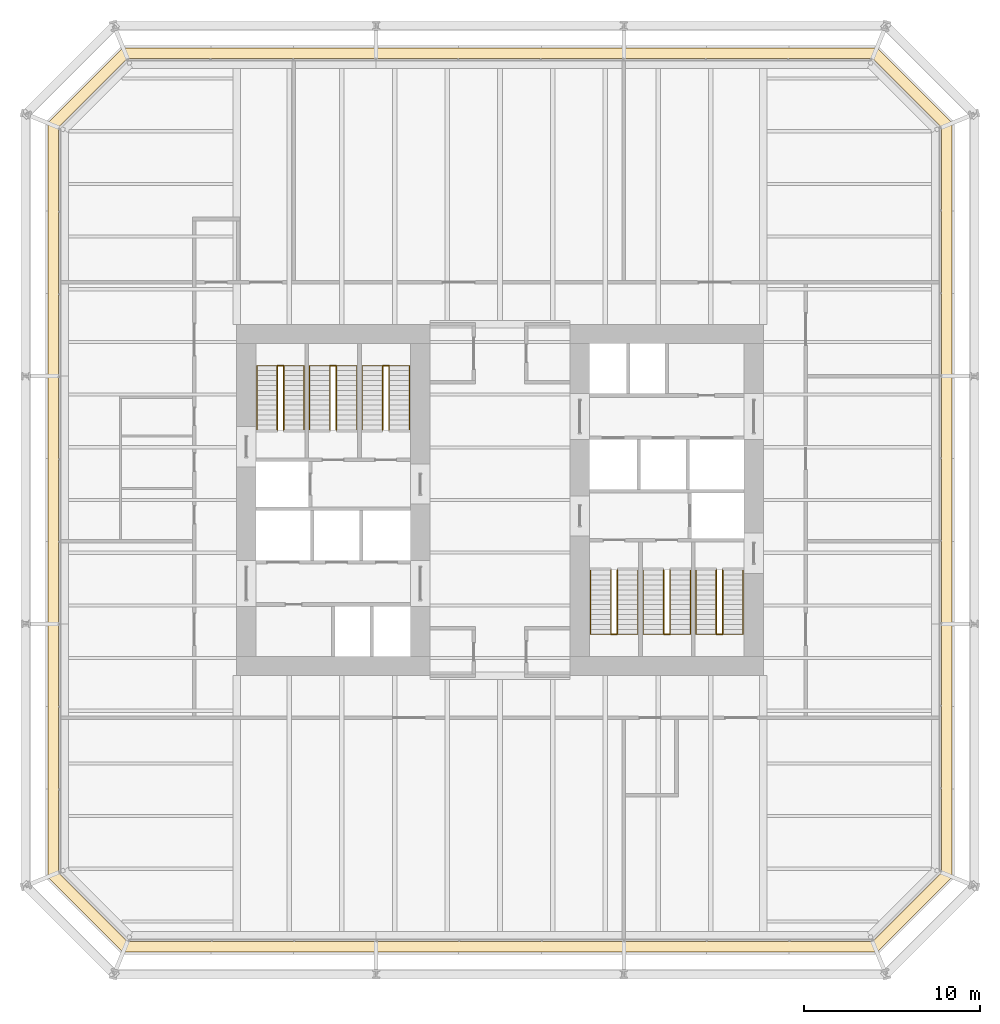
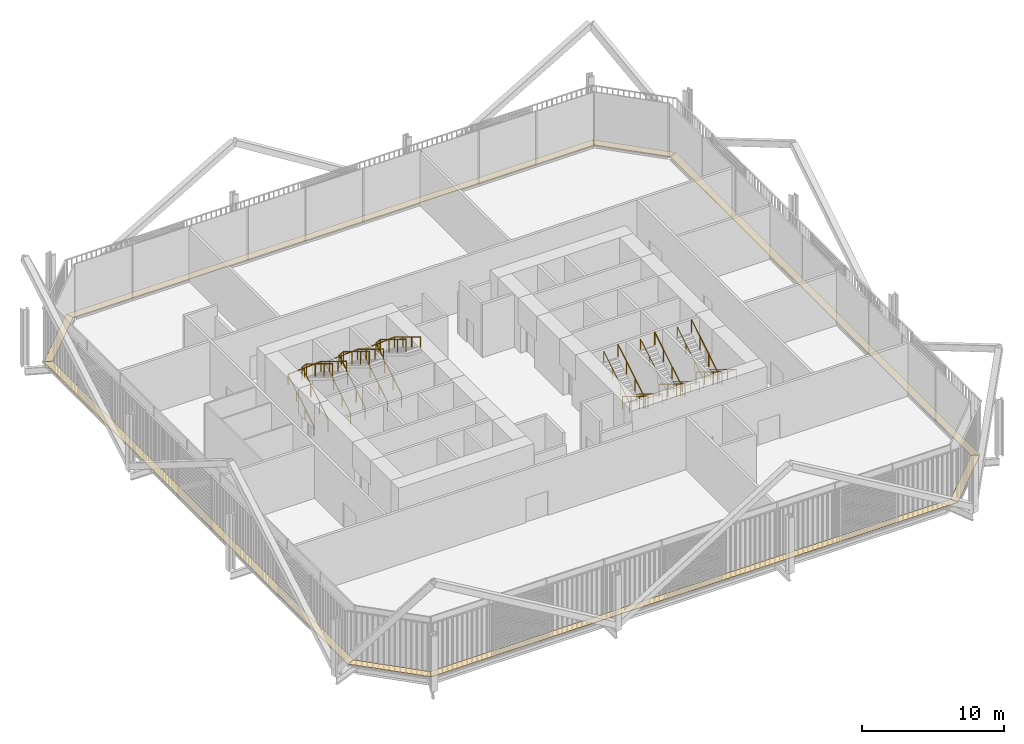
# One storey, part 22 of 22: 12 railings, 8 coverings.
"""IFC4 building model written with IfcOpenShell, lengths in metres."""

from ifc_helpers import new_model, si_unit, direction, frame, origin, origin_2d, place, context, subcontext, project, spatial, polyline, circle, outline, extrude, material, layer, layer_set, type_object, element, save


model = new_model("IFC4")

# Units and contexts
model_context = context("Model", 3, precision=1e-05, world=origin(), true_north=direction((0.0, 1.0)))
body_context = subcontext(model_context, "Body", "Model", "MODEL_VIEW")
ifc_project = project(units=[si_unit("LENGTHUNIT", "METRE"), si_unit("AREAUNIT", "SQUARE_METRE"), si_unit("VOLUMEUNIT", "CUBIC_METRE"), si_unit("PLANEANGLEUNIT", "RADIAN"), si_unit("MASSUNIT", "GRAM", prefix="KILO")], contexts=[model_context])

# Site, building, storey
site_placement = place(None, origin())
site = spatial("IfcSite", under=ifc_project, at=site_placement, CompositionType="ELEMENT")
building_placement = place(site_placement, origin())
building = spatial("IfcBuilding", under=site, at=building_placement, Name="Millrace Tower", CompositionType="ELEMENT")
storey_placement = place(building_placement, frame((0.0, 0.0, 54.5)))
storey = spatial("IfcBuildingStorey", under=building, at=storey_placement, Name="L12", CompositionType="ELEMENT", Elevation=54.5)

# Coverings
ifc_material_1 = material(Name="Steel ASTM A36", Category="steel")
ifc_layer = layer(ifc_material_1, 0.050048828125)
ifc_layer_set = layer_set([ifc_layer], Name="Steel ASTM A36")
covering_type = type_object("IfcCoveringType", Name="CAVITY CATWALK steel grating", PredefinedType="FLOORING", material=ifc_layer_set)
placement = place(storey_placement, frame((0.0, 0.0, 0.10009765625)))
element("IfcCovering", 1, at=placement, inside=storey, type_object=covering_type, Name="Cavity catwalk grating A-F01 L12 1", PredefinedType="FLOORING", context=body_context, shape_type="SweptSolid", body=[
    extrude(outline(polyline([(-25.75, -21.460693359375), (-21.460693359375, -25.75), (-21.212158203125, -25.14990234375), (-25.14990234375, -21.212158203125), (-25.75, -21.460693359375)])), origin(), (0.0, 0.0, 1.0), 0.0498046875),
])
element("IfcCovering", 2, at=placement, inside=storey, type_object=covering_type, Name="Cavity catwalk grating A-F02 L12 1", PredefinedType="FLOORING", context=body_context, shape_type="SweptSolid", body=[
    extrude(outline(polyline([(-21.460693359375, -25.75), (21.460693359375, -25.75), (21.212158203125, -25.14990234375), (-21.212158203125, -25.14990234375), (-21.460693359375, -25.75)])), origin(), (0.0, 0.0, 1.0), 0.0498046875),
])
element("IfcCovering", 3, at=placement, inside=storey, type_object=covering_type, Name="Cavity catwalk grating A-F03 L12 1", PredefinedType="FLOORING", context=body_context, shape_type="SweptSolid", body=[
    extrude(outline(polyline([(21.460693359375, -25.75), (25.75, -21.460693359375), (25.14990234375, -21.212158203125), (21.212158203125, -25.14990234375), (21.460693359375, -25.75)])), origin(), (0.0, 0.0, 1.0), 0.0498046875),
])
element("IfcCovering", 4, at=placement, inside=storey, type_object=covering_type, Name="Cavity catwalk grating A-F04 L12 1", PredefinedType="FLOORING", context=body_context, shape_type="SweptSolid", body=[
    extrude(outline(polyline([(25.75, -21.460693359375), (25.75, 21.460693359375), (25.14990234375, 21.212158203125), (25.14990234375, -21.212158203125), (25.75, -21.460693359375)])), origin(), (0.0, 0.0, 1.0), 0.0498046875),
])
element("IfcCovering", 5, at=placement, inside=storey, type_object=covering_type, Name="Cavity catwalk grating A-F05 L12 1", PredefinedType="FLOORING", context=body_context, shape_type="SweptSolid", body=[
    extrude(outline(polyline([(25.75, 21.460693359375), (21.460693359375, 25.75), (21.212158203125, 25.14990234375), (25.14990234375, 21.212158203125), (25.75, 21.460693359375)])), origin(), (0.0, 0.0, 1.0), 0.0498046875),
])
element("IfcCovering", 6, at=placement, inside=storey, type_object=covering_type, Name="Cavity catwalk grating A-F06 L12 1", PredefinedType="FLOORING", context=body_context, shape_type="SweptSolid", body=[
    extrude(outline(polyline([(21.460693359375, 25.75), (-21.460693359375, 25.75), (-21.212158203125, 25.14990234375), (21.212158203125, 25.14990234375), (21.460693359375, 25.75)])), origin(), (0.0, 0.0, 1.0), 0.0498046875),
])
element("IfcCovering", 7, at=placement, inside=storey, type_object=covering_type, Name="Cavity catwalk grating A-F07 L12 1", PredefinedType="FLOORING", context=body_context, shape_type="SweptSolid", body=[
    extrude(outline(polyline([(-21.460693359375, 25.75), (-25.75, 21.460693359375), (-25.14990234375, 21.212158203125), (-21.212158203125, 25.14990234375), (-21.460693359375, 25.75)])), origin(), (0.0, 0.0, 1.0), 0.0498046875),
])
element("IfcCovering", 8, at=placement, inside=storey, type_object=covering_type, Name="Cavity catwalk grating A-F08 L12 1", PredefinedType="FLOORING", context=body_context, shape_type="SweptSolid", body=[
    extrude(outline(polyline([(-25.75, 21.460693359375), (-25.75, -21.460693359375), (-25.14990234375, -21.212158203125), (-25.14990234375, 21.212158203125), (-25.75, 21.460693359375)])), origin(), (0.0, 0.0, 1.0), 0.0498046875),
])

# Railings
ifc_material_2 = material(Name="Stainless steel ASTM A240 type 316", Category="steel")
railing_type_1 = type_object("IfcRailingType", Name="Stair guard 1100", PredefinedType="GUARDRAIL", material=ifc_material_2)
for number, where, name in (
    (9, (-12.679931640625, 4.0, 0.17138671875), "Stair guard 1 W L12"),
    (10, (-9.679931640625, 4.0, 0.17138671875), "Stair guard 2 W L12"),
    (11, (-6.679931640625, 4.0, 0.17138671875), "Stair guard 3 W L12"),
):
    element("IfcRailing", number, at=place(storey_placement, frame(where)), inside=storey, type_object=railing_type_1, Name=name, PredefinedType="GUARDRAIL", context=body_context, shape_type="SweptSolid", body=[
        extrude(circle(Radius=0.02392578125, at=origin_2d()), frame((0.0, 0.0, 1.076171875), z_axis=(0.0, 0.852850264322, 0.5221555579), x_axis=(-1.0, 0.0, 0.0)), (0.0, 0.0, 1.0), 4.267822265625),
        extrude(circle(Radius=0.02392578125, at=origin_2d()), frame((0.0, 3.639892578125, 3.3046875), z_axis=(0.902837873996, 0.0, 0.429981131306), x_axis=(0.0, 1.0, 0.0)), (0.0, 0.0, 1.0), 0.398681640625),
        extrude(circle(Radius=0.02392578125, at=origin_2d()), frame((0.35986328125, 3.639892578125, 3.47607421875), z_axis=(0.0, -0.852824790078, 0.522197163366), x_axis=(1.0, 0.0, 0.0)), (0.0, 0.0, 1.0), 4.26806640625),
        extrude(circle(Radius=0.02099609375, at=origin_2d()), origin(), (0.0, 0.0, 1.0), 1.052001953125),
        extrude(circle(Radius=0.02099609375, at=origin_2d()), frame((0.0, 1.21337890625, 0.742919921875)), (0.0, 0.0, 1.0), 1.052001953125),
        extrude(circle(Radius=0.02099609375, at=origin_2d()), frame((0.0, 2.426513671875, 1.485595703125)), (0.0, 0.0, 1.0), 1.052001953125),
        extrude(circle(Radius=0.02099609375, at=origin_2d()), frame((0.0, 3.639892578125, 2.228515625)), (0.0, 0.0, 1.0), 1.052001953125),
        extrude(circle(Radius=0.02099609375, at=origin_2d()), frame((0.35986328125, 3.639892578125, 2.39990234375)), (0.0, 0.0, 1.0), 1.052001953125),
        extrude(circle(Radius=0.02099609375, at=origin_2d()), frame((0.35986328125, 2.426513671875, 3.142822265625)), (0.0, 0.0, 1.0), 1.052001953125),
        extrude(circle(Radius=0.02099609375, at=origin_2d()), frame((0.35986328125, 1.21337890625, 3.8857421875)), (0.0, 0.0, 1.0), 1.052001953125),
        extrude(circle(Radius=0.02099609375, at=origin_2d()), frame((0.35986328125, 0.0, 4.628662109375)), (0.0, 0.0, 1.0), 1.052001953125),
    ])
for number, where, name in (
    (12, (12.679931640625, -4.0, 0.17138671875), "Stair guard 1 E L12"),
    (13, (9.679931640625, -4.0, 0.17138671875), "Stair guard 2 E L12"),
    (14, (6.679931640625, -4.0, 0.17138671875), "Stair guard 3 E L12"),
):
    element("IfcRailing", number, at=place(storey_placement, frame(where)), inside=storey, type_object=railing_type_1, Name=name, PredefinedType="GUARDRAIL", context=body_context, shape_type="SweptSolid", body=[
        extrude(circle(Radius=0.02392578125, at=origin_2d()), frame((0.0, 0.0, 1.076171875), z_axis=(0.0, -0.852850264322, 0.5221555579), x_axis=(1.0, 0.0, 0.0)), (0.0, 0.0, 1.0), 4.267822265625),
        extrude(circle(Radius=0.02392578125, at=origin_2d()), frame((0.0, -3.639892578125, 3.3046875), z_axis=(-0.902837873996, 0.0, 0.429981131306), x_axis=(0.0, -1.0, 0.0)), (0.0, 0.0, 1.0), 0.398681640625),
        extrude(circle(Radius=0.02392578125, at=origin_2d()), frame((-0.35986328125, -3.639892578125, 3.47607421875), z_axis=(0.0, 0.852824790078, 0.522197163366), x_axis=(-1.0, 0.0, 0.0)), (0.0, 0.0, 1.0), 4.26806640625),
        extrude(circle(Radius=0.02099609375, at=origin_2d()), origin(), (0.0, 0.0, 1.0), 1.052001953125),
        extrude(circle(Radius=0.02099609375, at=origin_2d()), frame((0.0, -1.21337890625, 0.742919921875)), (0.0, 0.0, 1.0), 1.052001953125),
        extrude(circle(Radius=0.02099609375, at=origin_2d()), frame((0.0, -2.426513671875, 1.485595703125)), (0.0, 0.0, 1.0), 1.052001953125),
        extrude(circle(Radius=0.02099609375, at=origin_2d()), frame((0.0, -3.639892578125, 2.228515625)), (0.0, 0.0, 1.0), 1.052001953125),
        extrude(circle(Radius=0.02099609375, at=origin_2d()), frame((-0.35986328125, -3.639892578125, 2.39990234375)), (0.0, 0.0, 1.0), 1.052001953125),
        extrude(circle(Radius=0.02099609375, at=origin_2d()), frame((-0.35986328125, -2.426513671875, 3.142822265625)), (0.0, 0.0, 1.0), 1.052001953125),
        extrude(circle(Radius=0.02099609375, at=origin_2d()), frame((-0.35986328125, -1.21337890625, 3.8857421875)), (0.0, 0.0, 1.0), 1.052001953125),
        extrude(circle(Radius=0.02099609375, at=origin_2d()), frame((-0.35986328125, 0.0, 4.628662109375)), (0.0, 0.0, 1.0), 1.052001953125),
    ])
ifc_material_3 = material(Name="Stainless steel ASTM A240 type 316", Category="steel")
railing_type_2 = type_object("IfcRailingType", Name="Stair handrail 900", PredefinedType="HANDRAIL", material=ifc_material_3)
railing_1_placement = place(storey_placement, frame((-13.840087890625, 4.0, 0.17138671875)))
element("IfcRailing", 15, at=railing_1_placement, inside=storey, type_object=railing_type_2, Name="Stair handrail 1 W L12", PredefinedType="HANDRAIL", context=body_context, shape_type="SweptSolid", body=[
    extrude(circle(Radius=0.02392578125, at=origin_2d()), frame((0.0, 0.0, 0.8759765625), z_axis=(0.0, 0.852850264322, 0.5221555579), x_axis=(-1.0, 0.0, 0.0)), (0.0, 0.0, 1.0), 4.267822265625),
    extrude(circle(Radius=0.02392578125, at=origin_2d()), frame((0.0, 3.639892578125, 3.1044921875), z_axis=(0.9979616988, 0.0, 0.063815732607), x_axis=(0.0, 1.0, 0.0)), (0.0, 0.0, 1.0), 2.685546875),
    extrude(circle(Radius=0.02392578125, at=origin_2d()), frame((2.68017578125, 3.639892578125, 3.27587890625), z_axis=(0.0, -0.852824790078, 0.522197163366), x_axis=(1.0, 0.0, 0.0)), (0.0, 0.0, 1.0), 4.26806640625),
    extrude(circle(Radius=0.02099609375, at=origin_2d()), origin(), (0.0, 0.0, 1.0), 0.851806640625),
    extrude(circle(Radius=0.02099609375, at=origin_2d()), frame((0.0, 1.21337890625, 0.742919921875)), (0.0, 0.0, 1.0), 0.851806640625),
    extrude(circle(Radius=0.02099609375, at=origin_2d()), frame((0.0, 2.426513671875, 1.485595703125)), (0.0, 0.0, 1.0), 0.851806640625),
    extrude(circle(Radius=0.02099609375, at=origin_2d()), frame((0.0, 3.639892578125, 2.228515625)), (0.0, 0.0, 1.0), 0.851806640625),
    extrude(circle(Radius=0.02099609375, at=origin_2d()), frame((1.340087890625, 3.639892578125, 2.314208984375)), (0.0, 0.0, 1.0), 0.851806640625),
    extrude(circle(Radius=0.02099609375, at=origin_2d()), frame((2.68017578125, 3.639892578125, 2.39990234375)), (0.0, 0.0, 1.0), 0.851806640625),
    extrude(circle(Radius=0.02099609375, at=origin_2d()), frame((2.68017578125, 2.426513671875, 3.142822265625)), (0.0, 0.0, 1.0), 0.851806640625),
    extrude(circle(Radius=0.02099609375, at=origin_2d()), frame((2.68017578125, 1.21337890625, 3.8857421875)), (0.0, 0.0, 1.0), 0.851806640625),
    extrude(circle(Radius=0.02099609375, at=origin_2d()), frame((2.68017578125, 0.0, 4.628662109375)), (0.0, 0.0, 1.0), 0.851806640625),
])
railing_2_placement = place(storey_placement, frame((-10.840087890625, 4.0, 0.17138671875)))
element("IfcRailing", 16, at=railing_2_placement, inside=storey, type_object=railing_type_2, Name="Stair handrail 2 W L12", PredefinedType="HANDRAIL", context=body_context, shape_type="SweptSolid", body=[
    extrude(circle(Radius=0.02392578125, at=origin_2d()), frame((0.0, 0.0, 0.8759765625), z_axis=(0.0, 0.852850264322, 0.5221555579), x_axis=(-1.0, 0.0, 0.0)), (0.0, 0.0, 1.0), 4.267822265625),
    extrude(circle(Radius=0.02392578125, at=origin_2d()), frame((0.0, 3.639892578125, 3.1044921875), z_axis=(0.9979616988, 0.0, 0.063815732607), x_axis=(0.0, 1.0, 0.0)), (0.0, 0.0, 1.0), 2.685546875),
    extrude(circle(Radius=0.02392578125, at=origin_2d()), frame((2.68017578125, 3.639892578125, 3.27587890625), z_axis=(0.0, -0.852824790078, 0.522197163366), x_axis=(1.0, 0.0, 0.0)), (0.0, 0.0, 1.0), 4.26806640625),
    extrude(circle(Radius=0.02099609375, at=origin_2d()), origin(), (0.0, 0.0, 1.0), 0.851806640625),
    extrude(circle(Radius=0.02099609375, at=origin_2d()), frame((0.0, 1.21337890625, 0.742919921875)), (0.0, 0.0, 1.0), 0.851806640625),
    extrude(circle(Radius=0.02099609375, at=origin_2d()), frame((0.0, 2.426513671875, 1.485595703125)), (0.0, 0.0, 1.0), 0.851806640625),
    extrude(circle(Radius=0.02099609375, at=origin_2d()), frame((0.0, 3.639892578125, 2.228515625)), (0.0, 0.0, 1.0), 0.851806640625),
    extrude(circle(Radius=0.02099609375, at=origin_2d()), frame((1.340087890625, 3.639892578125, 2.314208984375)), (0.0, 0.0, 1.0), 0.851806640625),
    extrude(circle(Radius=0.02099609375, at=origin_2d()), frame((2.68017578125, 3.639892578125, 2.39990234375)), (0.0, 0.0, 1.0), 0.851806640625),
    extrude(circle(Radius=0.02099609375, at=origin_2d()), frame((2.68017578125, 2.426513671875, 3.142822265625)), (0.0, 0.0, 1.0), 0.851806640625),
    extrude(circle(Radius=0.02099609375, at=origin_2d()), frame((2.68017578125, 1.21337890625, 3.8857421875)), (0.0, 0.0, 1.0), 0.851806640625),
    extrude(circle(Radius=0.02099609375, at=origin_2d()), frame((2.68017578125, 0.0, 4.628662109375)), (0.0, 0.0, 1.0), 0.851806640625),
])
railing_3_placement = place(storey_placement, frame((-7.840087890625, 4.0, 0.17138671875)))
element("IfcRailing", 17, at=railing_3_placement, inside=storey, type_object=railing_type_2, Name="Stair handrail 3 W L12", PredefinedType="HANDRAIL", context=body_context, shape_type="SweptSolid", body=[
    extrude(circle(Radius=0.02392578125, at=origin_2d()), frame((0.0, 0.0, 0.8759765625), z_axis=(0.0, 0.852850264322, 0.5221555579), x_axis=(-1.0, 0.0, 0.0)), (0.0, 0.0, 1.0), 4.267822265625),
    extrude(circle(Radius=0.02392578125, at=origin_2d()), frame((0.0, 3.639892578125, 3.1044921875), z_axis=(0.9979616988, 0.0, 0.063815732607), x_axis=(0.0, 1.0, 0.0)), (0.0, 0.0, 1.0), 2.685546875),
    extrude(circle(Radius=0.02392578125, at=origin_2d()), frame((2.68017578125, 3.639892578125, 3.27587890625), z_axis=(0.0, -0.852824790078, 0.522197163366), x_axis=(1.0, 0.0, 0.0)), (0.0, 0.0, 1.0), 4.26806640625),
    extrude(circle(Radius=0.02099609375, at=origin_2d()), origin(), (0.0, 0.0, 1.0), 0.851806640625),
    extrude(circle(Radius=0.02099609375, at=origin_2d()), frame((0.0, 1.21337890625, 0.742919921875)), (0.0, 0.0, 1.0), 0.851806640625),
    extrude(circle(Radius=0.02099609375, at=origin_2d()), frame((0.0, 2.426513671875, 1.485595703125)), (0.0, 0.0, 1.0), 0.851806640625),
    extrude(circle(Radius=0.02099609375, at=origin_2d()), frame((0.0, 3.639892578125, 2.228515625)), (0.0, 0.0, 1.0), 0.851806640625),
    extrude(circle(Radius=0.02099609375, at=origin_2d()), frame((1.340087890625, 3.639892578125, 2.314208984375)), (0.0, 0.0, 1.0), 0.851806640625),
    extrude(circle(Radius=0.02099609375, at=origin_2d()), frame((2.68017578125, 3.639892578125, 2.39990234375)), (0.0, 0.0, 1.0), 0.851806640625),
    extrude(circle(Radius=0.02099609375, at=origin_2d()), frame((2.68017578125, 2.426513671875, 3.142822265625)), (0.0, 0.0, 1.0), 0.851806640625),
    extrude(circle(Radius=0.02099609375, at=origin_2d()), frame((2.68017578125, 1.21337890625, 3.8857421875)), (0.0, 0.0, 1.0), 0.851806640625),
    extrude(circle(Radius=0.02099609375, at=origin_2d()), frame((2.68017578125, 0.0, 4.628662109375)), (0.0, 0.0, 1.0), 0.851806640625),
])
railing_4_placement = place(storey_placement, frame((13.840087890625, -4.0, 0.17138671875)))
element("IfcRailing", 18, at=railing_4_placement, inside=storey, type_object=railing_type_2, Name="Stair handrail 1 E L12", PredefinedType="HANDRAIL", context=body_context, shape_type="SweptSolid", body=[
    extrude(circle(Radius=0.02392578125, at=origin_2d()), frame((0.0, 0.0, 0.8759765625), z_axis=(0.0, -0.852850264322, 0.5221555579), x_axis=(1.0, 0.0, 0.0)), (0.0, 0.0, 1.0), 4.267822265625),
    extrude(circle(Radius=0.02392578125, at=origin_2d()), frame((0.0, -3.639892578125, 3.1044921875), z_axis=(-0.9979616988, 0.0, 0.063815732607), x_axis=(0.0, -1.0, 0.0)), (0.0, 0.0, 1.0), 2.685546875),
    extrude(circle(Radius=0.02392578125, at=origin_2d()), frame((-2.68017578125, -3.639892578125, 3.27587890625), z_axis=(0.0, 0.852824790078, 0.522197163366), x_axis=(-1.0, 0.0, 0.0)), (0.0, 0.0, 1.0), 4.26806640625),
    extrude(circle(Radius=0.02099609375, at=origin_2d()), origin(), (0.0, 0.0, 1.0), 0.851806640625),
    extrude(circle(Radius=0.02099609375, at=origin_2d()), frame((0.0, -1.21337890625, 0.742919921875)), (0.0, 0.0, 1.0), 0.851806640625),
    extrude(circle(Radius=0.02099609375, at=origin_2d()), frame((0.0, -2.426513671875, 1.485595703125)), (0.0, 0.0, 1.0), 0.851806640625),
    extrude(circle(Radius=0.02099609375, at=origin_2d()), frame((0.0, -3.639892578125, 2.228515625)), (0.0, 0.0, 1.0), 0.851806640625),
    extrude(circle(Radius=0.02099609375, at=origin_2d()), frame((-1.340087890625, -3.639892578125, 2.314208984375)), (0.0, 0.0, 1.0), 0.851806640625),
    extrude(circle(Radius=0.02099609375, at=origin_2d()), frame((-2.68017578125, -3.639892578125, 2.39990234375)), (0.0, 0.0, 1.0), 0.851806640625),
    extrude(circle(Radius=0.02099609375, at=origin_2d()), frame((-2.68017578125, -2.426513671875, 3.142822265625)), (0.0, 0.0, 1.0), 0.851806640625),
    extrude(circle(Radius=0.02099609375, at=origin_2d()), frame((-2.68017578125, -1.21337890625, 3.8857421875)), (0.0, 0.0, 1.0), 0.851806640625),
    extrude(circle(Radius=0.02099609375, at=origin_2d()), frame((-2.68017578125, 0.0, 4.628662109375)), (0.0, 0.0, 1.0), 0.851806640625),
])
railing_5_placement = place(storey_placement, frame((10.840087890625, -4.0, 0.17138671875)))
element("IfcRailing", 19, at=railing_5_placement, inside=storey, type_object=railing_type_2, Name="Stair handrail 2 E L12", PredefinedType="HANDRAIL", context=body_context, shape_type="SweptSolid", body=[
    extrude(circle(Radius=0.02392578125, at=origin_2d()), frame((0.0, 0.0, 0.8759765625), z_axis=(0.0, -0.852850264322, 0.5221555579), x_axis=(1.0, 0.0, 0.0)), (0.0, 0.0, 1.0), 4.267822265625),
    extrude(circle(Radius=0.02392578125, at=origin_2d()), frame((0.0, -3.639892578125, 3.1044921875), z_axis=(-0.9979616988, 0.0, 0.063815732607), x_axis=(0.0, -1.0, 0.0)), (0.0, 0.0, 1.0), 2.685546875),
    extrude(circle(Radius=0.02392578125, at=origin_2d()), frame((-2.68017578125, -3.639892578125, 3.27587890625), z_axis=(0.0, 0.852824790078, 0.522197163366), x_axis=(-1.0, 0.0, 0.0)), (0.0, 0.0, 1.0), 4.26806640625),
    extrude(circle(Radius=0.02099609375, at=origin_2d()), origin(), (0.0, 0.0, 1.0), 0.851806640625),
    extrude(circle(Radius=0.02099609375, at=origin_2d()), frame((0.0, -1.21337890625, 0.742919921875)), (0.0, 0.0, 1.0), 0.851806640625),
    extrude(circle(Radius=0.02099609375, at=origin_2d()), frame((0.0, -2.426513671875, 1.485595703125)), (0.0, 0.0, 1.0), 0.851806640625),
    extrude(circle(Radius=0.02099609375, at=origin_2d()), frame((0.0, -3.639892578125, 2.228515625)), (0.0, 0.0, 1.0), 0.851806640625),
    extrude(circle(Radius=0.02099609375, at=origin_2d()), frame((-1.340087890625, -3.639892578125, 2.314208984375)), (0.0, 0.0, 1.0), 0.851806640625),
    extrude(circle(Radius=0.02099609375, at=origin_2d()), frame((-2.68017578125, -3.639892578125, 2.39990234375)), (0.0, 0.0, 1.0), 0.851806640625),
    extrude(circle(Radius=0.02099609375, at=origin_2d()), frame((-2.68017578125, -2.426513671875, 3.142822265625)), (0.0, 0.0, 1.0), 0.851806640625),
    extrude(circle(Radius=0.02099609375, at=origin_2d()), frame((-2.68017578125, -1.21337890625, 3.8857421875)), (0.0, 0.0, 1.0), 0.851806640625),
    extrude(circle(Radius=0.02099609375, at=origin_2d()), frame((-2.68017578125, 0.0, 4.628662109375)), (0.0, 0.0, 1.0), 0.851806640625),
])
railing_6_placement = place(storey_placement, frame((7.840087890625, -4.0, 0.17138671875)))
element("IfcRailing", 20, at=railing_6_placement, inside=storey, type_object=railing_type_2, Name="Stair handrail 3 E L12", PredefinedType="HANDRAIL", context=body_context, shape_type="SweptSolid", body=[
    extrude(circle(Radius=0.02392578125, at=origin_2d()), frame((0.0, 0.0, 0.8759765625), z_axis=(0.0, -0.852850264322, 0.5221555579), x_axis=(1.0, 0.0, 0.0)), (0.0, 0.0, 1.0), 4.267822265625),
    extrude(circle(Radius=0.02392578125, at=origin_2d()), frame((0.0, -3.639892578125, 3.1044921875), z_axis=(-0.9979616988, 0.0, 0.063815732607), x_axis=(0.0, -1.0, 0.0)), (0.0, 0.0, 1.0), 2.685546875),
    extrude(circle(Radius=0.02392578125, at=origin_2d()), frame((-2.68017578125, -3.639892578125, 3.27587890625), z_axis=(0.0, 0.852824790078, 0.522197163366), x_axis=(-1.0, 0.0, 0.0)), (0.0, 0.0, 1.0), 4.26806640625),
    extrude(circle(Radius=0.02099609375, at=origin_2d()), origin(), (0.0, 0.0, 1.0), 0.851806640625),
    extrude(circle(Radius=0.02099609375, at=origin_2d()), frame((0.0, -1.21337890625, 0.742919921875)), (0.0, 0.0, 1.0), 0.851806640625),
    extrude(circle(Radius=0.02099609375, at=origin_2d()), frame((0.0, -2.426513671875, 1.485595703125)), (0.0, 0.0, 1.0), 0.851806640625),
    extrude(circle(Radius=0.02099609375, at=origin_2d()), frame((0.0, -3.639892578125, 2.228515625)), (0.0, 0.0, 1.0), 0.851806640625),
    extrude(circle(Radius=0.02099609375, at=origin_2d()), frame((-1.340087890625, -3.639892578125, 2.314208984375)), (0.0, 0.0, 1.0), 0.851806640625),
    extrude(circle(Radius=0.02099609375, at=origin_2d()), frame((-2.68017578125, -3.639892578125, 2.39990234375)), (0.0, 0.0, 1.0), 0.851806640625),
    extrude(circle(Radius=0.02099609375, at=origin_2d()), frame((-2.68017578125, -2.426513671875, 3.142822265625)), (0.0, 0.0, 1.0), 0.851806640625),
    extrude(circle(Radius=0.02099609375, at=origin_2d()), frame((-2.68017578125, -1.21337890625, 3.8857421875)), (0.0, 0.0, 1.0), 0.851806640625),
    extrude(circle(Radius=0.02099609375, at=origin_2d()), frame((-2.68017578125, 0.0, 4.628662109375)), (0.0, 0.0, 1.0), 0.851806640625),
])

save(model, "model.ifc")
